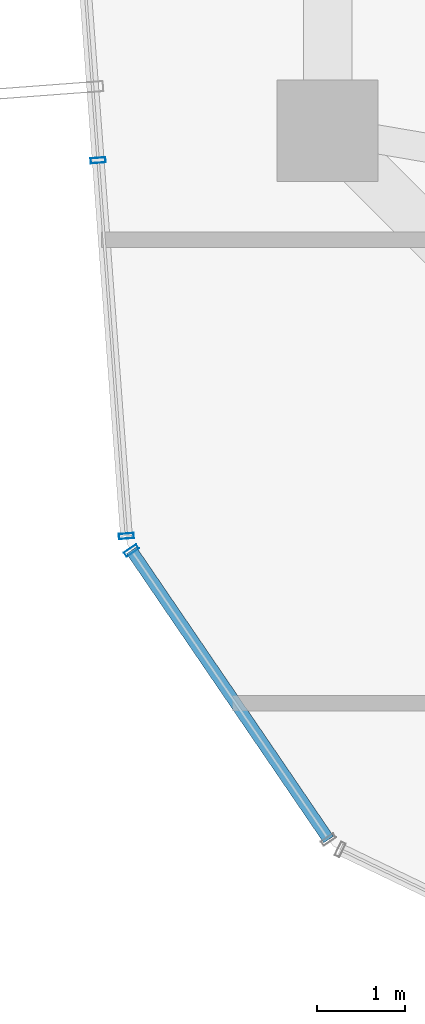
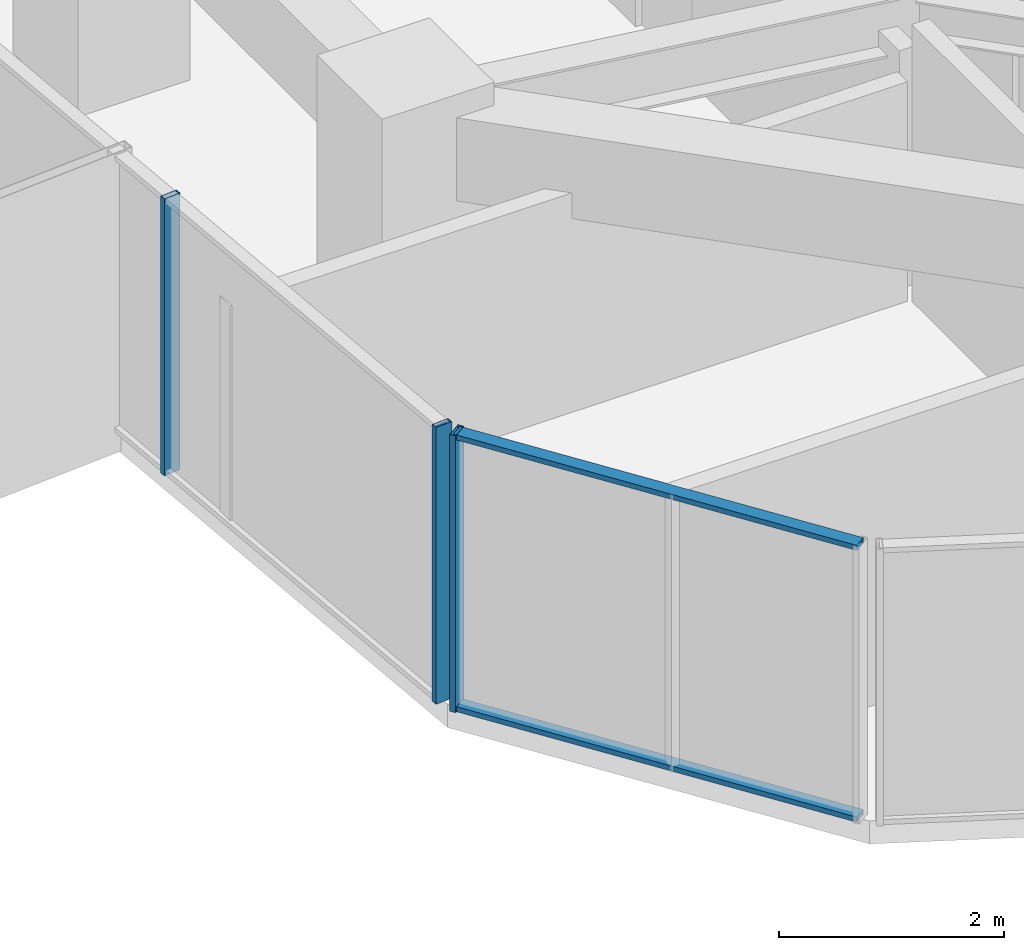
# One storey, part 5 of 35: 5 members, 2 elements without a shape of their own.
"""IFC4 building model written with IfcOpenShell, lengths in metres."""

from ifc_helpers import new_model, si_unit, direction, frame, origin, origin_2d, place, context, subcontext, project, spatial, hollow_rectangle, extrude, source, transform, mapped, material, layer, layer_set, material_profile, profile_set, type_object, element, aggregate, save


model = new_model("IFC4")

# Units and contexts
model_context = context("Model", 3, precision=1e-05, world=origin(), true_north=direction((0.0, 1.0)))
body_context = subcontext(model_context, "Body", "Model", "MODEL_VIEW")
ifc_project = project(units=[si_unit("LENGTHUNIT", "METRE"), si_unit("AREAUNIT", "SQUARE_METRE"), si_unit("VOLUMEUNIT", "CUBIC_METRE"), si_unit("PLANEANGLEUNIT", "RADIAN"), si_unit("MASSUNIT", "GRAM", prefix="KILO")], contexts=[model_context])

# Site, building, storey
site_placement = place(None, origin())
site = spatial("IfcSite", under=ifc_project, at=site_placement, CompositionType="ELEMENT")
building_placement = place(site_placement, origin())
building = spatial("IfcBuilding", under=site, at=building_placement, Name="Veraguas Prism Commons", CompositionType="ELEMENT")
storey_placement = place(building_placement, frame((0.0, 0.0, 142.5)))
storey = spatial("IfcBuildingStorey", under=building, at=storey_placement, Name="L40", CompositionType="ELEMENT", Elevation=142.5)

# Curtain wall, members
ifc_material = material(Name="Anodised aluminium EN AW-6063 T6", Category="aluminium")
ifc_layer = layer(ifc_material, 0.169921875, Name="Unitised Flush Curtain Wall Zone 2", Category="aluminium")
ifc_layer_set = layer_set([ifc_layer], Name="Anodised aluminium EN AW-6063 T6")
curtain_wall_type = type_object("IfcCurtainWallType", Name="Unitised Flush Curtain Wall Zone 2", PredefinedType="NOTDEFINED", material=ifc_layer_set)
curtain_wall_1_placement = place(storey_placement, origin())
curtain_wall_1 = element("IfcCurtainWall", 1, at=curtain_wall_1_placement, inside=storey, type_object=curtain_wall_type, Name="Tower Facade Curtain Wall L40-F3", PredefinedType="NOTDEFINED")
ifc_material_profile_1 = material_profile(ifc_material, hollow_rectangle(XDim=0.06005859375, YDim=0.169921875, WallThickness=0.00390625, at=origin_2d()), Name="AL60X170X4")
ifc_profile_set_1 = profile_set([ifc_material_profile_1], Name="Anodised aluminium EN AW-6063 T6")
member_type_1 = type_object("IfcMemberType", Name="Curtain Wall Mullion Lower AL 60x170x4", PredefinedType="MULLION", material=ifc_profile_set_1)
shared_shape_1 = source(origin(), body_context, "Body", "SweptSolid", [
    extrude(hollow_rectangle(XDim=0.06005859375, YDim=0.169921875, WallThickness=0.00390625, at=origin_2d()), origin(), (0.0, 0.0, 1.0), 3.0),
])
member_1_placement = place(storey_placement, frame((5.194580078125, 18.265380859375, 0.0), z_axis=(0.0, 0.0, 1.0), x_axis=(0.074978726826, -0.997185133525, 0.0)))
member_1 = element("IfcMember", 2, at=member_1_placement, type_object=member_type_1, Name="CW-Z2 Mullion 4", PredefinedType="MULLION", context=body_context, shape_type="MappedRepresentation", body=[
    mapped(shared_shape_1, transform((0.0, 0.0, 0.0), scale=1.0)),
])
member_2_placement = place(storey_placement, frame((5.515380859375, 13.998779296875, 0.0), z_axis=(0.0, 0.0, 1.0), x_axis=(0.074978726826, -0.997185133525, 0.0)))
member_2 = element("IfcMember", 3, at=member_2_placement, type_object=member_type_1, Name="CW-Z2 Mullion 5", PredefinedType="MULLION", context=body_context, shape_type="MappedRepresentation", body=[
    mapped(shared_shape_1, transform((0.0, 0.0, 0.0), scale=1.0)),
])
aggregate(curtain_wall_1, [member_1, member_2])

curtain_wall_2_placement = place(storey_placement, origin())
curtain_wall_2 = element("IfcCurtainWall", 4, at=curtain_wall_2_placement, inside=storey, type_object=curtain_wall_type, Name="Chamfer Curtain Wall L40-C4", PredefinedType="NOTDEFINED")
member_3_placement = place(storey_placement, frame((5.57275390625, 13.834716796875, 0.0), z_axis=(0.0, 0.0, 1.0), x_axis=(0.563537583391, -0.826090426107, 0.0)))
member_3 = element("IfcMember", 5, at=member_3_placement, type_object=member_type_1, Name="CW-Z2 Mullion 1", PredefinedType="MULLION", context=body_context, shape_type="MappedRepresentation", body=[
    mapped(shared_shape_1, transform((0.0, 0.0, 0.0), scale=1.0)),
])
ifc_material_profile_2 = material_profile(ifc_material, hollow_rectangle(XDim=0.054931640625, YDim=0.135009765625, WallThickness=0.0029296875, at=origin_2d()), Name="AL55X135X3")
ifc_profile_set_2 = profile_set([ifc_material_profile_2], Name="Anodised aluminium EN AW-6063 T6")
member_type_2 = type_object("IfcMemberType", Name="Curtain Wall Transom Standard AL 55x135x3", PredefinedType="USERDEFINED", material=ifc_profile_set_2)
shared_shape_2 = source(origin(), body_context, "Body", "SweptSolid", [
    extrude(hollow_rectangle(XDim=0.054931640625, YDim=0.135009765625, WallThickness=0.0029296875, at=origin_2d()), origin(), (0.0, 0.0, 1.0), 3.97314453125),
])
member_4_placement = place(storey_placement, frame((5.57275390625, 13.834716796875, 0.027587890625), z_axis=(0.563531290385, -0.826094718998, 0.0), x_axis=(0.0, 0.0, 1.0)))
member_4 = element("IfcMember", 6, at=member_4_placement, type_object=member_type_2, Name="CW-Z2 Transom 1", ObjectType="TRANSOM", PredefinedType="USERDEFINED", context=body_context, shape_type="MappedRepresentation", body=[
    mapped(shared_shape_2, transform((0.0, 0.0, 0.0), scale=1.0)),
])
member_5_placement = place(storey_placement, frame((5.57275390625, 13.834716796875, 2.972412109375), z_axis=(0.563531290385, -0.826094718998, 0.0), x_axis=(0.0, 0.0, 1.0)))
member_5 = element("IfcMember", 7, at=member_5_placement, type_object=member_type_2, Name="CW-Z2 Transom 2", ObjectType="TRANSOM", PredefinedType="USERDEFINED", context=body_context, shape_type="MappedRepresentation", body=[
    mapped(shared_shape_2, transform((0.0, 0.0, 0.0), scale=1.0)),
])
aggregate(curtain_wall_2, [member_3, member_4, member_5])

save(model, "model.ifc")
